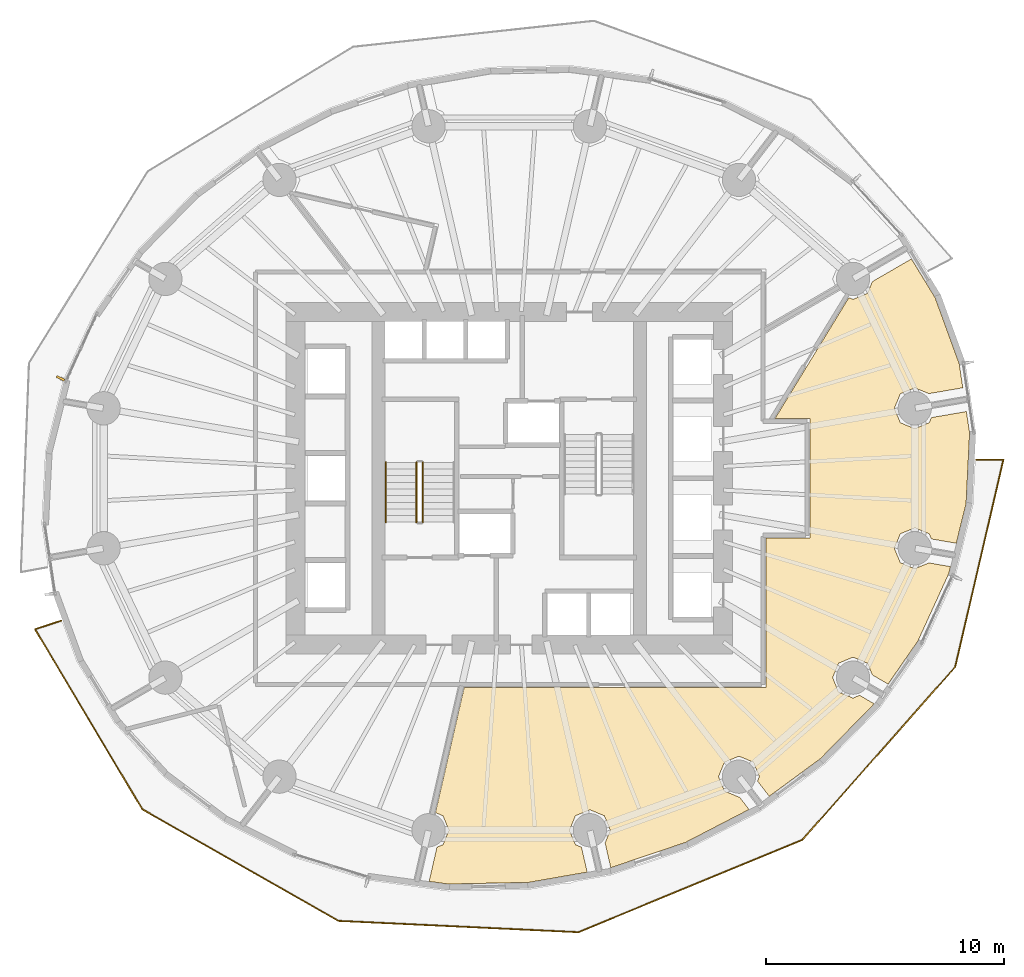
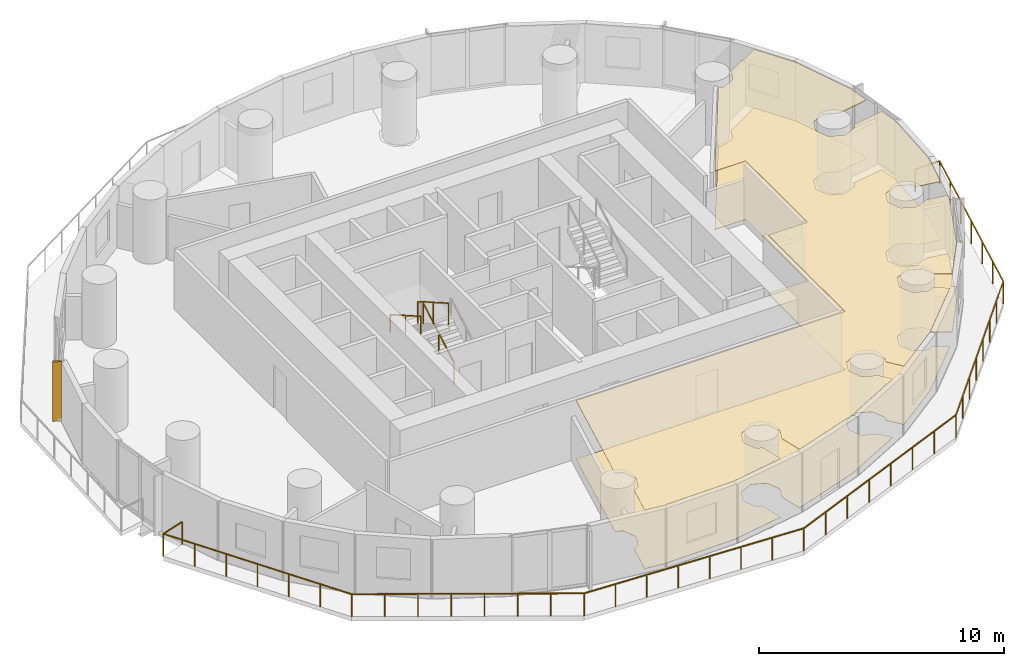
# One storey, part 11 of 13: 4 railings, 2 coverings, 1 shading device.
"""IFC4 building model written with IfcOpenShell, lengths in metres."""

from ifc_helpers import new_model, si_unit, direction, frame, origin, origin_2d, place, context, subcontext, project, spatial, polyline, rectangle, outline, extrude, material, layer, layer_set, type_object, element, save


model = new_model("IFC4")

# Units and contexts
model_context = context("Model", 3, precision=1e-05, world=origin(), true_north=direction((0.0, 1.0)))
body_context = subcontext(model_context, "Body", "Model", "MODEL_VIEW")
ifc_project = project(units=[si_unit("LENGTHUNIT", "METRE"), si_unit("AREAUNIT", "SQUARE_METRE"), si_unit("VOLUMEUNIT", "CUBIC_METRE"), si_unit("PLANEANGLEUNIT", "RADIAN"), si_unit("MASSUNIT", "GRAM", prefix="KILO")], contexts=[model_context])

# Site, building, storey
site_placement = place(None, origin())
site = spatial("IfcSite", under=ifc_project, at=site_placement, CompositionType="ELEMENT")
building_placement = place(site_placement, origin())
building = spatial("IfcBuilding", under=site, at=building_placement, Name="Veldorim Arch Residences", CompositionType="ELEMENT")
storey_placement = place(building_placement, frame((0.0, 0.0, 60.0)))
storey = spatial("IfcBuildingStorey", under=building, at=storey_placement, Name="L17", CompositionType="ELEMENT", Elevation=60.0)

# Railings
ifc_material_1 = material(Name="Aluminium", Category="aluminium")
railing_type_1 = type_object("IfcRailingType", Name="Balcony & Terrace Laminated Glass Balustrade 1150", PredefinedType="BALUSTRADE", material=ifc_material_1)
railing_1_placement = place(storey_placement, frame((13.140625, 18.005615234375, 0.0)))
element("IfcRailing", 1, at=railing_1_placement, inside=storey, type_object=railing_type_1, Name="L17 crescent balcony safety balustrade B", PredefinedType="BALUSTRADE", context=body_context, shape_type="SweptSolid", body=[
    extrude(rectangle(XDim=0.048095703125, YDim=0.048095703125, at=origin_2d()), frame((0.0, 0.0, 1.1259765625), z_axis=(-0.950326353594, -0.311255235561, 0.0), x_axis=(0.311255235561, -0.950326353594, 0.0)), (0.0, 0.0, 1.0), 1.14990234375),
    extrude(rectangle(XDim=0.048095703125, YDim=0.048095703125, at=origin_2d()), frame((-1.0927734375, -0.35791015625, 1.1259765625), z_axis=(0.511735136831, -0.859143264964, 0.0), x_axis=(0.859143264964, 0.511735136831, 0.0)), (0.0, 0.0, 1.0), 8.813232421875),
    extrude(rectangle(XDim=0.048095703125, YDim=0.048095703125, at=origin_2d()), frame((3.417236328125, -7.9296875, 1.1259765625), z_axis=(0.869083085147, -0.494666141061, 0.0), x_axis=(0.494666141061, 0.869083085147, 0.0)), (0.0, 0.0, 1.0), 9.501708984375),
    extrude(rectangle(XDim=0.048095703125, YDim=0.048095703125, at=origin_2d()), frame((11.675048828125, -12.6298828125, 1.1259765625), z_axis=(0.998889572023, -0.047112874067, 0.0), x_axis=(0.047112874067, 0.998889572023, 0.0)), (0.0, 0.0, 1.0), 10.10498046875),
    extrude(rectangle(XDim=0.048095703125, YDim=0.048095703125, at=origin_2d()), frame((21.768798828125, -13.10595703125, 1.1259765625), z_axis=(0.924471197031, 0.381251892925, 0.0), x_axis=(-0.381251892925, 0.924471197031, 0.0)), (0.0, 0.0, 1.0), 10.197265625),
    extrude(rectangle(XDim=0.048095703125, YDim=0.048095703125, at=origin_2d()), frame((31.19580078125, -9.21826171875, 1.1259765625), z_axis=(0.662339977899, 0.74920341275, 0.0), x_axis=(-0.74920341275, 0.662339977899, 0.0)), (0.0, 0.0, 1.0), 9.7080078125),
    extrude(rectangle(XDim=0.048095703125, YDim=0.048095703125, at=origin_2d()), frame((37.625732421875, -1.945068359375, 1.1259765625), z_axis=(0.226588646328, 0.973990546851, 0.0), x_axis=(-0.973990546851, 0.226588646328, 0.0)), (0.0, 0.0, 1.0), 8.958984375),
    extrude(rectangle(XDim=0.048095703125, YDim=0.048095703125, at=origin_2d()), frame((39.65576171875, 6.781005859375, 1.1259765625), z_axis=(-0.999960244166, -0.008916842942, 0.0), x_axis=(0.008916842942, -0.999960244166, 0.0)), (0.0, 0.0, 1.0), 1.14990234375),
    extrude(rectangle(XDim=0.0419921875, YDim=0.0419921875, at=origin_2d()), origin(), (0.0, 0.0, 1.0), 1.101806640625),
    extrude(rectangle(XDim=0.0419921875, YDim=0.0419921875, at=origin_2d()), frame((-1.0927734375, -0.35791015625, 0.0)), (0.0, 0.0, 1.0), 1.101806640625),
    extrude(rectangle(XDim=0.0419921875, YDim=0.0419921875, at=origin_2d()), frame((-0.341064453125, -1.619873046875, 0.0)), (0.0, 0.0, 1.0), 1.101806640625),
    extrude(rectangle(XDim=0.0419921875, YDim=0.0419921875, at=origin_2d()), frame((0.41064453125, -2.8818359375, 0.0)), (0.0, 0.0, 1.0), 1.101806640625),
    extrude(rectangle(XDim=0.0419921875, YDim=0.0419921875, at=origin_2d()), frame((1.162109375, -4.143798828125, 0.0)), (0.0, 0.0, 1.0), 1.101806640625),
    extrude(rectangle(XDim=0.0419921875, YDim=0.0419921875, at=origin_2d()), frame((1.913818359375, -5.40576171875, 0.0)), (0.0, 0.0, 1.0), 1.101806640625),
    extrude(rectangle(XDim=0.0419921875, YDim=0.0419921875, at=origin_2d()), frame((2.66552734375, -6.667724609375, 0.0)), (0.0, 0.0, 1.0), 1.101806640625),
    extrude(rectangle(XDim=0.0419921875, YDim=0.0419921875, at=origin_2d()), frame((3.417236328125, -7.9296875, 0.0)), (0.0, 0.0, 1.0), 1.101806640625),
    extrude(rectangle(XDim=0.0419921875, YDim=0.0419921875, at=origin_2d()), frame((4.596923828125, -8.60107421875, 0.0)), (0.0, 0.0, 1.0), 1.101806640625),
    extrude(rectangle(XDim=0.0419921875, YDim=0.0419921875, at=origin_2d()), frame((5.776611328125, -9.272705078125, 0.0)), (0.0, 0.0, 1.0), 1.101806640625),
    extrude(rectangle(XDim=0.0419921875, YDim=0.0419921875, at=origin_2d()), frame((6.956298828125, -9.944091796875, 0.0)), (0.0, 0.0, 1.0), 1.101806640625),
    extrude(rectangle(XDim=0.0419921875, YDim=0.0419921875, at=origin_2d()), frame((8.135986328125, -10.615478515625, 0.0)), (0.0, 0.0, 1.0), 1.101806640625),
    extrude(rectangle(XDim=0.0419921875, YDim=0.0419921875, at=origin_2d()), frame((9.315673828125, -11.286865234375, 0.0)), (0.0, 0.0, 1.0), 1.101806640625),
    extrude(rectangle(XDim=0.0419921875, YDim=0.0419921875, at=origin_2d()), frame((10.495361328125, -11.95849609375, 0.0)), (0.0, 0.0, 1.0), 1.101806640625),
    extrude(rectangle(XDim=0.0419921875, YDim=0.0419921875, at=origin_2d()), frame((11.675048828125, -12.6298828125, 0.0)), (0.0, 0.0, 1.0), 1.101806640625),
    extrude(rectangle(XDim=0.0419921875, YDim=0.0419921875, at=origin_2d()), frame((13.116943359375, -12.697998046875, 0.0)), (0.0, 0.0, 1.0), 1.101806640625),
    extrude(rectangle(XDim=0.0419921875, YDim=0.0419921875, at=origin_2d()), frame((14.55908203125, -12.765869140625, 0.0)), (0.0, 0.0, 1.0), 1.101806640625),
    extrude(rectangle(XDim=0.0419921875, YDim=0.0419921875, at=origin_2d()), frame((16.0009765625, -12.833984375, 0.0)), (0.0, 0.0, 1.0), 1.101806640625),
    extrude(rectangle(XDim=0.0419921875, YDim=0.0419921875, at=origin_2d()), frame((17.44287109375, -12.90185546875, 0.0)), (0.0, 0.0, 1.0), 1.101806640625),
    extrude(rectangle(XDim=0.0419921875, YDim=0.0419921875, at=origin_2d()), frame((18.884765625, -12.969970703125, 0.0)), (0.0, 0.0, 1.0), 1.101806640625),
    extrude(rectangle(XDim=0.0419921875, YDim=0.0419921875, at=origin_2d()), frame((20.326904296875, -13.037841796875, 0.0)), (0.0, 0.0, 1.0), 1.101806640625),
    extrude(rectangle(XDim=0.0419921875, YDim=0.0419921875, at=origin_2d()), frame((21.768798828125, -13.10595703125, 0.0)), (0.0, 0.0, 1.0), 1.101806640625),
    extrude(rectangle(XDim=0.0419921875, YDim=0.0419921875, at=origin_2d()), frame((23.115478515625, -12.550537109375, 0.0)), (0.0, 0.0, 1.0), 1.101806640625),
    extrude(rectangle(XDim=0.0419921875, YDim=0.0419921875, at=origin_2d()), frame((24.462158203125, -11.9951171875, 0.0)), (0.0, 0.0, 1.0), 1.101806640625),
    extrude(rectangle(XDim=0.0419921875, YDim=0.0419921875, at=origin_2d()), frame((25.808837890625, -11.439697265625, 0.0)), (0.0, 0.0, 1.0), 1.101806640625),
    extrude(rectangle(XDim=0.0419921875, YDim=0.0419921875, at=origin_2d()), frame((27.15576171875, -10.884521484375, 0.0)), (0.0, 0.0, 1.0), 1.101806640625),
    extrude(rectangle(XDim=0.0419921875, YDim=0.0419921875, at=origin_2d()), frame((28.50244140625, -10.3291015625, 0.0)), (0.0, 0.0, 1.0), 1.101806640625),
    extrude(rectangle(XDim=0.0419921875, YDim=0.0419921875, at=origin_2d()), frame((29.84912109375, -9.773681640625, 0.0)), (0.0, 0.0, 1.0), 1.101806640625),
    extrude(rectangle(XDim=0.0419921875, YDim=0.0419921875, at=origin_2d()), frame((31.19580078125, -9.21826171875, 0.0)), (0.0, 0.0, 1.0), 1.101806640625),
    extrude(rectangle(XDim=0.0419921875, YDim=0.0419921875, at=origin_2d()), frame((32.1142578125, -8.17919921875, 0.0)), (0.0, 0.0, 1.0), 1.101806640625),
    extrude(rectangle(XDim=0.0419921875, YDim=0.0419921875, at=origin_2d()), frame((33.032958984375, -7.14013671875, 0.0)), (0.0, 0.0, 1.0), 1.101806640625),
    extrude(rectangle(XDim=0.0419921875, YDim=0.0419921875, at=origin_2d()), frame((33.951416015625, -6.10107421875, 0.0)), (0.0, 0.0, 1.0), 1.101806640625),
    extrude(rectangle(XDim=0.0419921875, YDim=0.0419921875, at=origin_2d()), frame((34.8701171875, -5.062255859375, 0.0)), (0.0, 0.0, 1.0), 1.101806640625),
    extrude(rectangle(XDim=0.0419921875, YDim=0.0419921875, at=origin_2d()), frame((35.78857421875, -4.023193359375, 0.0)), (0.0, 0.0, 1.0), 1.101806640625),
    extrude(rectangle(XDim=0.0419921875, YDim=0.0419921875, at=origin_2d()), frame((36.707275390625, -2.984130859375, 0.0)), (0.0, 0.0, 1.0), 1.101806640625),
    extrude(rectangle(XDim=0.0419921875, YDim=0.0419921875, at=origin_2d()), frame((37.625732421875, -1.945068359375, 0.0)), (0.0, 0.0, 1.0), 1.101806640625),
    extrude(rectangle(XDim=0.0419921875, YDim=0.0419921875, at=origin_2d()), frame((37.964111328125, -0.49072265625, 0.0)), (0.0, 0.0, 1.0), 1.101806640625),
    extrude(rectangle(XDim=0.0419921875, YDim=0.0419921875, at=origin_2d()), frame((38.302490234375, 0.963623046875, 0.0)), (0.0, 0.0, 1.0), 1.101806640625),
    extrude(rectangle(XDim=0.0419921875, YDim=0.0419921875, at=origin_2d()), frame((38.640625, 2.41796875, 0.0)), (0.0, 0.0, 1.0), 1.101806640625),
    extrude(rectangle(XDim=0.0419921875, YDim=0.0419921875, at=origin_2d()), frame((38.97900390625, 3.872314453125, 0.0)), (0.0, 0.0, 1.0), 1.101806640625),
    extrude(rectangle(XDim=0.0419921875, YDim=0.0419921875, at=origin_2d()), frame((39.3173828125, 5.32666015625, 0.0)), (0.0, 0.0, 1.0), 1.101806640625),
    extrude(rectangle(XDim=0.0419921875, YDim=0.0419921875, at=origin_2d()), frame((39.65576171875, 6.781005859375, 0.0)), (0.0, 0.0, 1.0), 1.101806640625),
    extrude(rectangle(XDim=0.0419921875, YDim=0.0419921875, at=origin_2d()), frame((38.505859375, 6.770751953125, 0.0)), (0.0, 0.0, 1.0), 1.101806640625),
])
ifc_material_2 = material(Name="Steel S355", Category="steel")
railing_type_2 = type_object("IfcRailingType", Name="Galvanised Steel Stair Safety Guardrail 1100", PredefinedType="GUARDRAIL", material=ifc_material_2)
railing_2_placement = place(storey_placement, frame((28.360107421875, 22.14990234375, 0.159912109375)))
element("IfcRailing", 2, at=railing_2_placement, inside=storey, type_object=railing_type_2, Name="L17 ST-1 stair guard 1", PredefinedType="GUARDRAIL", context=body_context, shape_type="SweptSolid", body=[
    extrude(rectangle(XDim=0.048095703125, YDim=0.048095703125, at=origin_2d()), frame((0.0, 0.0, 1.076171875), z_axis=(0.0, 0.868217259934, 0.496184229447), x_axis=(-1.0, 0.0, 0.0)), (0.0, 0.0, 1.0), 2.902587890625),
    extrude(rectangle(XDim=0.0419921875, YDim=0.0419921875, at=origin_2d()), origin(), (0.0, 0.0, 1.0), 1.052001953125),
    extrude(rectangle(XDim=0.0419921875, YDim=0.0419921875, at=origin_2d()), frame((0.0, 1.260009765625, 0.72021484375)), (0.0, 0.0, 1.0), 1.052001953125),
    extrude(rectangle(XDim=0.0419921875, YDim=0.0419921875, at=origin_2d()), frame((0.0, 2.52001953125, 1.440185546875)), (0.0, 0.0, 1.0), 1.052001953125),
])
railing_3_placement = place(storey_placement, frame((28.10009765625, 24.669921875, 1.760009765625)))
element("IfcRailing", 3, at=railing_3_placement, inside=storey, type_object=railing_type_2, Name="L17 ST-1 stair guard 3", PredefinedType="GUARDRAIL", context=body_context, shape_type="SweptSolid", body=[
    extrude(rectangle(XDim=0.048095703125, YDim=0.048095703125, at=origin_2d()), frame((0.0, 0.0, 1.076171875), z_axis=(0.0, -0.868253494771, 0.496120820787), x_axis=(1.0, 0.0, 0.0)), (0.0, 0.0, 1.0), 2.90234375),
    extrude(rectangle(XDim=0.0419921875, YDim=0.0419921875, at=origin_2d()), origin(), (0.0, 0.0, 1.0), 1.052001953125),
    extrude(rectangle(XDim=0.0419921875, YDim=0.0419921875, at=origin_2d()), frame((0.0, -1.260009765625, 0.719970703125)), (0.0, 0.0, 1.0), 1.052001953125),
    extrude(rectangle(XDim=0.0419921875, YDim=0.0419921875, at=origin_2d()), frame((0.0, -2.52001953125, 1.43994140625)), (0.0, 0.0, 1.0), 1.052001953125),
])

# Coverings
ifc_material_3 = material(Name="Acoustic Gypsum & Mineral Fibre", Category="gypsum")
ifc_layer_1 = layer(ifc_material_3, 0.034912109375, Name="Perforated Acoustic Mineral-Fibre Ceiling 35")
ifc_layer_set_1 = layer_set([ifc_layer_1], Name="Acoustic Gypsum & Mineral Fibre")
covering_type_1 = type_object("IfcCoveringType", Name="Perforated Acoustic Mineral-Fibre Ceiling 35", PredefinedType="CEILING", material=ifc_layer_set_1)
covering_1_placement = place(storey_placement, frame((0.0, 0.0, 2.905029296875)))
element("IfcCovering", 4, at=covering_1_placement, inside=storey, type_object=covering_type_1, Name="L17 acoustic suspended ceiling 01", PredefinedType="CEILING", context=body_context, shape_type="SweptSolid", body=[
    extrude(outline(polyline([(36.25439453125, 9.190185546875), (36.002685546875, 9.798095703125), (35.39453125, 10.050048828125), (34.78662109375, 9.798095703125), (34.53466796875, 9.190185546875), (34.78662109375, 8.58203125), (35.039794921875, 8.47705078125), (35.28076171875, 7.427001953125), (32.82080078125, 6.99609375), (29.43896484375, 6.9267578125), (28.6298828125, 7.037109375), (28.960205078125, 8.47705078125), (29.21337890625, 8.58203125), (29.46533203125, 9.190185546875), (29.21337890625, 9.798095703125), (28.897705078125, 9.928955078125), (30.106201171875, 15.199951171875), (42.800048828125, 15.199951171875), (42.800048828125, 21.47998046875), (44.64990234375, 21.47998046875), (44.64990234375, 26.52001953125), (43.187744140625, 26.52001953125), (46.292724609375, 31.6015625), (46.467529296875, 31.529296875), (47.07568359375, 31.781005859375), (47.281005859375, 32.277099609375), (48.923583984375, 33.2294921875), (49.924560546875, 31.5908203125), (50.93505859375, 28.8193359375), (51.0869140625, 27.80712890625), (49.65771484375, 27.560546875), (49.065673828125, 27.805908203125), (48.457763671875, 27.553955078125), (48.205810546875, 26.94580078125), (48.457763671875, 26.337890625), (49.065673828125, 26.0859375), (49.673583984375, 26.337890625), (49.76318359375, 26.5537109375), (51.236572265625, 26.80810546875), (51.372314453125, 25.90234375), (51.2236328125, 22.926513671875), (50.81103515625, 21.265380859375), (49.76318359375, 21.4462890625), (49.673583984375, 21.662109375), (49.065673828125, 21.9140625), (48.457763671875, 21.662109375), (48.205810546875, 21.05419921875), (48.457763671875, 20.446044921875), (49.065673828125, 20.194091796875), (49.65771484375, 20.439453125), (50.567138671875, 20.282470703125), (50.4921875, 19.9814453125), (49.19921875, 17.156005859375), (47.9404296875, 15.3408203125), (47.281005859375, 15.722900390625), (47.07568359375, 16.218994140625), (46.467529296875, 16.470703125), (45.859619140625, 16.218994140625), (45.607666015625, 15.61083984375), (45.859619140625, 15.0029296875), (46.467529296875, 14.7509765625), (46.745361328125, 14.8662109375), (47.357666015625, 14.510986328125), (45.097412109375, 12.20361328125), (42.94091796875, 10.617919921875), (42.448974609375, 11.2568359375), (42.52685546875, 11.44482421875), (42.27490234375, 12.052734375), (41.6669921875, 12.3046875), (41.058837890625, 12.052734375), (40.806884765625, 11.44482421875), (41.058837890625, 10.8369140625), (41.6669921875, 10.5849609375), (41.685546875, 10.5927734375), (42.093017578125, 10.0634765625), (39.408203125, 8.6728515625), (36.2734375, 7.6162109375), (36.034423828125, 8.658935546875), (36.25439453125, 9.190185546875)])), origin(), (0.0, 0.0, 1.0), 0.034912109375),
])
ifc_material_4 = material(Name="Porcelain Ceramic Tile", Category="ceramic")
ifc_layer_2 = layer(ifc_material_4, 0.02001953125, Name="Slip-Resistant Porcelain & Vinyl Floor Finish 20")
ifc_layer_set_2 = layer_set([ifc_layer_2], Name="Porcelain Ceramic Tile")
covering_type_2 = type_object("IfcCoveringType", Name="Slip-Resistant Porcelain & Vinyl Floor Finish 20", PredefinedType="FLOORING", material=ifc_layer_set_2)
covering_2_placement = place(storey_placement, origin())
element("IfcCovering", 5, at=covering_2_placement, inside=storey, type_object=covering_type_2, Name="L17 porcelain floor finish 01", PredefinedType="FLOORING", context=body_context, shape_type="SweptSolid", body=[
    extrude(outline(polyline([(36.25439453125, 9.190185546875), (36.002685546875, 9.798095703125), (35.39453125, 10.050048828125), (34.78662109375, 9.798095703125), (34.53466796875, 9.190185546875), (34.78662109375, 8.58203125), (35.039794921875, 8.47705078125), (35.28076171875, 7.427001953125), (32.82080078125, 6.99609375), (29.43896484375, 6.9267578125), (28.6298828125, 7.037109375), (28.960205078125, 8.47705078125), (29.21337890625, 8.58203125), (29.46533203125, 9.190185546875), (29.21337890625, 9.798095703125), (28.897705078125, 9.928955078125), (30.106201171875, 15.199951171875), (42.800048828125, 15.199951171875), (42.800048828125, 21.47998046875), (44.64990234375, 21.47998046875), (44.64990234375, 26.52001953125), (43.187744140625, 26.52001953125), (46.292724609375, 31.6015625), (46.467529296875, 31.529296875), (47.07568359375, 31.781005859375), (47.281005859375, 32.277099609375), (48.923583984375, 33.2294921875), (49.924560546875, 31.5908203125), (50.93505859375, 28.8193359375), (51.0869140625, 27.80712890625), (49.65771484375, 27.560546875), (49.065673828125, 27.805908203125), (48.457763671875, 27.553955078125), (48.205810546875, 26.94580078125), (48.457763671875, 26.337890625), (49.065673828125, 26.0859375), (49.673583984375, 26.337890625), (49.76318359375, 26.5537109375), (51.236572265625, 26.80810546875), (51.372314453125, 25.90234375), (51.2236328125, 22.926513671875), (50.81103515625, 21.265380859375), (49.76318359375, 21.4462890625), (49.673583984375, 21.662109375), (49.065673828125, 21.9140625), (48.457763671875, 21.662109375), (48.205810546875, 21.05419921875), (48.457763671875, 20.446044921875), (49.065673828125, 20.194091796875), (49.65771484375, 20.439453125), (50.567138671875, 20.282470703125), (50.4921875, 19.9814453125), (49.19921875, 17.156005859375), (47.9404296875, 15.3408203125), (47.281005859375, 15.722900390625), (47.07568359375, 16.218994140625), (46.467529296875, 16.470703125), (45.859619140625, 16.218994140625), (45.607666015625, 15.61083984375), (45.859619140625, 15.0029296875), (46.467529296875, 14.7509765625), (46.745361328125, 14.8662109375), (47.357666015625, 14.510986328125), (45.097412109375, 12.20361328125), (42.94091796875, 10.617919921875), (42.448974609375, 11.2568359375), (42.52685546875, 11.44482421875), (42.27490234375, 12.052734375), (41.6669921875, 12.3046875), (41.058837890625, 12.052734375), (40.806884765625, 11.44482421875), (41.058837890625, 10.8369140625), (41.6669921875, 10.5849609375), (41.685546875, 10.5927734375), (42.093017578125, 10.0634765625), (39.408203125, 8.6728515625), (36.2734375, 7.6162109375), (36.034423828125, 8.658935546875), (36.25439453125, 9.190185546875)])), origin(), (0.0, 0.0, 1.0), 0.02001953125),
])

# Railing
ifc_material_5 = material(Name="Stainless Steel", Category="steel")
railing_type_3 = type_object("IfcRailingType", Name="Tubular Steel Continuous Wall Handrail 900", PredefinedType="HANDRAIL", material=ifc_material_5)
railing_4_placement = place(storey_placement, frame((26.800048828125, 24.669921875, 1.760009765625)))
element("IfcRailing", 6, at=railing_4_placement, inside=storey, type_object=railing_type_3, Name="L17 ST-1 stair handrail 2", PredefinedType="HANDRAIL", context=body_context, shape_type="SweptSolid", body=[
    extrude(rectangle(XDim=0.048095703125, YDim=0.048095703125, at=origin_2d()), frame((0.0, 0.0, 0.8759765625), z_axis=(0.0, -0.868253494771, 0.496120820787), x_axis=(1.0, 0.0, 0.0)), (0.0, 0.0, 1.0), 2.90234375),
    extrude(rectangle(XDim=0.0419921875, YDim=0.0419921875, at=origin_2d()), origin(), (0.0, 0.0, 1.0), 0.851806640625),
    extrude(rectangle(XDim=0.0419921875, YDim=0.0419921875, at=origin_2d()), frame((0.0, -1.260009765625, 0.719970703125)), (0.0, 0.0, 1.0), 0.851806640625),
    extrude(rectangle(XDim=0.0419921875, YDim=0.0419921875, at=origin_2d()), frame((0.0, -2.52001953125, 1.43994140625)), (0.0, 0.0, 1.0), 0.851806640625),
])

# Shading device
ifc_material_6 = material(Name="Terracotta Ceramic", Category="masonry")
ifc_layer_3 = layer(ifc_material_6, 0.090087890625, Name="Vertical Extruded Terracotta Baguette Sun-Shading Fin")
ifc_layer_set_3 = layer_set([ifc_layer_3], Name="Terracotta Ceramic")
shading_device_type = type_object("IfcShadingDeviceType", Name="Vertical Extruded Terracotta Baguette Sun-Shading Fin", PredefinedType="USERDEFINED", material=ifc_layer_set_3)
shading_device_placement = place(storey_placement, frame((13.117919921875, 28.2060546875, 0.0), z_axis=(0.0, 0.0, 1.0), x_axis=(0.416122094283, 0.909308749903, 0.0)))
element("IfcShadingDevice", 7, at=shading_device_placement, inside=storey, type_object=shading_device_type, Name="L17 vertical terracotta sun-shading fin 15", ObjectType="FIN", PredefinedType="USERDEFINED", context=body_context, shape_type="SweptSolid", body=[
    extrude(rectangle(XDim=0.090087890625, YDim=0.360107421875, at=origin_2d()), origin(), (0.0, 0.0, 1.0), 2.9599609375),
])

save(model, "model.ifc")
